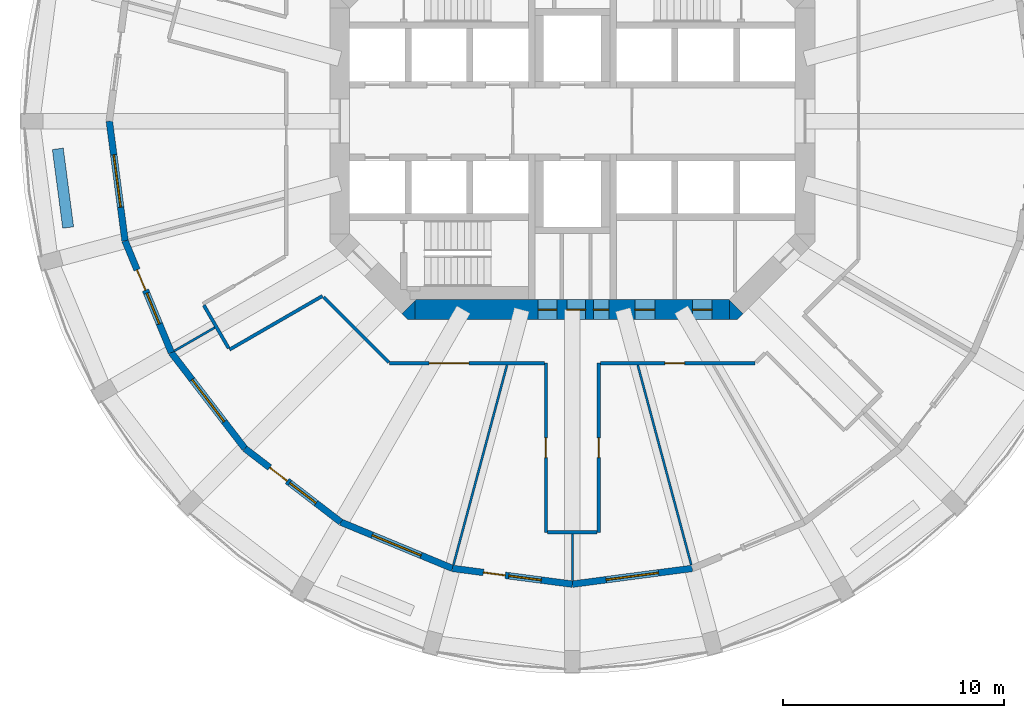
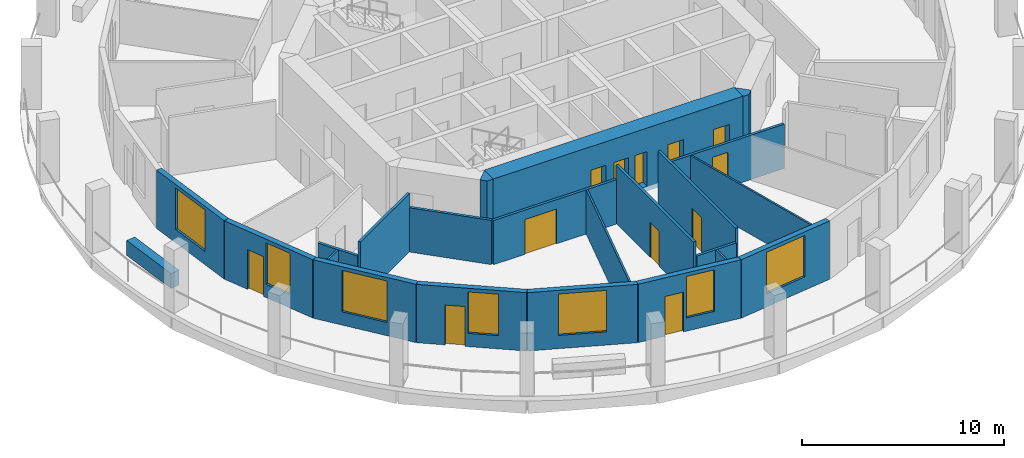
# One storey, part 2 of 8: 23 walls, 12 doors, 7 windows, 19 openings.
"""IFC4 building model written with IfcOpenShell, lengths in metres."""

from ifc_helpers import new_model, si_unit, direction, frame, frame_2d, origin, place, context, subcontext, project, spatial, polyline, rectangle, outline, extrude, material, layer, layer_set, type_object, element, fill, save


model = new_model("IFC4")

# Units and contexts
model_context = context("Model", 3, precision=1e-05, world=origin(), true_north=direction((0.0, 1.0)))
body_context = subcontext(model_context, "Body", "Model", "MODEL_VIEW")
ifc_project = project(units=[si_unit("LENGTHUNIT", "METRE"), si_unit("AREAUNIT", "SQUARE_METRE"), si_unit("VOLUMEUNIT", "CUBIC_METRE"), si_unit("PLANEANGLEUNIT", "RADIAN"), si_unit("MASSUNIT", "GRAM", prefix="KILO")], contexts=[model_context])

# Site, building, storey
site_placement = place(None, origin())
site = spatial("IfcSite", under=ifc_project, at=site_placement, CompositionType="ELEMENT")
building_placement = place(site_placement, origin())
building = spatial("IfcBuilding", under=site, at=building_placement, Name="Torre Triforio", CompositionType="ELEMENT")
storey_placement = place(building_placement, frame((0.0, 0.0, 120.0)))
storey = spatial("IfcBuildingStorey", under=building, at=storey_placement, Name="L26", CompositionType="ELEMENT", Elevation=120.0)

# Wall, openings, doors
ifc_material_1 = material(Name="Concrete C60", Category="concrete")
ifc_layer_1 = layer(ifc_material_1, 0.89990234375)
ifc_layer_set_1 = layer_set([ifc_layer_1], Name="Concrete C60")
wall_type_1 = type_object("IfcWallType", Name="Core wall 900 mm C60 EI 120", PredefinedType="SHEAR", material=ifc_layer_set_1)
wall_1_placement = place(storey_placement, frame((-7.1298828125, -8.550048828125, -0.280029296875), z_axis=(0.0, 0.0, 1.0), x_axis=(1.0, 0.0, 0.0)))
wall_1 = element("IfcWall", 1, at=wall_1_placement, inside=storey, type_object=wall_type_1, Name="Core wall", PredefinedType="SHEAR", context=body_context, shape_type="SweptSolid", body=[
    extrude(rectangle(XDim=14.259765625, YDim=0.89990234375, at=frame_2d((7.1298828125, 0.0))), origin(), (0.0, 0.0, 1.0), 3.800048828125),
])
opening_1_placement = place(wall_1_placement, frame((8.080078125, 0.0, 0.280029296875)))
opening_1 = element("IfcOpeningElement", 2, at=opening_1_placement, cuts=wall_1, Name="Opening RISER-S", PredefinedType="OPENING", context=body_context, shape_type="SweptSolid", body=[
    extrude(rectangle(XDim=0.699951171875, YDim=2.10009765625, at=frame_2d((0.35009765625, 1.050048828125))), frame((0.0, 0.4599609375, 0.0), z_axis=(0.0, -1.0, 0.0), x_axis=(1.0, 0.0, 0.0)), (0.0, 0.0, 1.0), 0.919921875),
])
opening_2_placement = place(wall_1_placement, frame((5.580078125, 0.0, 0.280029296875)))
opening_2 = element("IfcOpeningElement", 3, at=opening_2_placement, cuts=wall_1, Name="Opening SW-01A", PredefinedType="OPENING", context=body_context, shape_type="SweptSolid", body=[
    extrude(rectangle(XDim=0.85009765625, YDim=2.10009765625, at=frame_2d((0.425048828125, 1.050048828125))), frame((0.0, 0.4599609375, 0.0), z_axis=(0.0, -1.0, 0.0), x_axis=(1.0, 0.0, 0.0)), (0.0, 0.0, 1.0), 0.919921875),
])
opening_3_placement = place(wall_1_placement, frame((6.8798828125, 0.0, 0.280029296875)))
opening_3 = element("IfcOpeningElement", 4, at=opening_3_placement, cuts=wall_1, Name="Opening SW-02", PredefinedType="OPENING", context=body_context, shape_type="SweptSolid", body=[
    extrude(rectangle(XDim=0.85009765625, YDim=2.10009765625, at=frame_2d((0.425048828125, 1.050048828125))), frame((0.0, 0.4599609375, 0.0), z_axis=(0.0, -1.0, 0.0), x_axis=(1.0, 0.0, 0.0)), (0.0, 0.0, 1.0), 0.919921875),
])
opening_4_placement = place(wall_1_placement, frame((9.967041015625, 0.0, 0.280029296875)))
opening_4 = element("IfcOpeningElement", 5, at=opening_4_placement, cuts=wall_1, Name="Opening SE-01A", PredefinedType="OPENING", context=body_context, shape_type="SweptSolid", body=[
    extrude(rectangle(XDim=0.89990234375, YDim=2.10009765625, at=frame_2d((0.449951171875, 1.050048828125))), frame((0.0, 0.4599609375, 0.0), z_axis=(0.0, -1.0, 0.0), x_axis=(1.0, 0.0, 0.0)), (0.0, 0.0, 1.0), 0.919921875),
])
opening_5_placement = place(wall_1_placement, frame((12.56689453125, 0.0, 0.280029296875)))
opening_5 = element("IfcOpeningElement", 6, at=opening_5_placement, cuts=wall_1, Name="Opening SE-02", PredefinedType="OPENING", context=body_context, shape_type="SweptSolid", body=[
    extrude(rectangle(XDim=0.89990234375, YDim=2.10009765625, at=frame_2d((0.449951171875, 1.050048828125))), frame((0.0, 0.4599609375, 0.0), z_axis=(0.0, -1.0, 0.0), x_axis=(1.0, 0.0, 0.0)), (0.0, 0.0, 1.0), 0.919921875),
])
ifc_material_2 = material(Name="Hollow metal fire door leaf")
door_type_1 = type_object("IfcDoorType", Name="Riser door 700 x 2100 EI 60", OperationType="NOTDEFINED", PredefinedType="DOOR", material=ifc_material_2)
door_1_placement = place(opening_1_placement, origin())
door_1 = element("IfcDoor", 7, at=door_1_placement, inside=storey, type_object=door_type_1, Name="Core door RISER-S", OperationType="SINGLE_SWING_RIGHT", OverallHeight=2.10009765625, OverallWidth=0.699951171875, PredefinedType="DOOR", context=body_context, shape_type="SweptSolid", body=[
    extrude(rectangle(XDim=0.699951171875, YDim=2.10009765625, at=frame_2d((0.35009765625, 1.050048828125))), frame((0.0, 0.02490234375, 0.0), z_axis=(0.0, -1.0, 0.0), x_axis=(1.0, 0.0, 0.0)), (0.0, 0.0, 1.0), 0.050048828125),
])
fill(opening_1, door_1)
door_type_2 = type_object("IfcDoorType", Name="Room door 850 x 2100 EI 60", OperationType="NOTDEFINED", PredefinedType="DOOR", material=ifc_material_2)
door_2_placement = place(opening_2_placement, origin())
door_2 = element("IfcDoor", 8, at=door_2_placement, inside=storey, type_object=door_type_2, Name="Core door SW-01", OperationType="SINGLE_SWING_RIGHT", OverallHeight=2.10009765625, OverallWidth=0.85009765625, PredefinedType="DOOR", context=body_context, shape_type="SweptSolid", body=[
    extrude(rectangle(XDim=0.85009765625, YDim=2.10009765625, at=frame_2d((0.425048828125, 1.050048828125))), frame((0.0, 0.02490234375, 0.0), z_axis=(0.0, -1.0, 0.0), x_axis=(1.0, 0.0, 0.0)), (0.0, 0.0, 1.0), 0.050048828125),
])
fill(opening_2, door_2)
door_3_placement = place(opening_3_placement, origin())
door_3 = element("IfcDoor", 9, at=door_3_placement, inside=storey, type_object=door_type_2, Name="Core door SW-02", OperationType="SINGLE_SWING_LEFT", OverallHeight=2.10009765625, OverallWidth=0.85009765625, PredefinedType="DOOR", context=body_context, shape_type="SweptSolid", body=[
    extrude(rectangle(XDim=0.85009765625, YDim=2.10009765625, at=frame_2d((0.425048828125, 1.050048828125))), frame((0.0, 0.02490234375, 0.0), z_axis=(0.0, -1.0, 0.0), x_axis=(1.0, 0.0, 0.0)), (0.0, 0.0, 1.0), 0.050048828125),
])
fill(opening_3, door_3)
door_type_3 = type_object("IfcDoorType", Name="Room door 900 x 2100 EI 60", OperationType="NOTDEFINED", PredefinedType="DOOR", material=ifc_material_2)
door_4_placement = place(opening_4_placement, origin())
door_4 = element("IfcDoor", 10, at=door_4_placement, inside=storey, type_object=door_type_3, Name="Core door SE-01", OperationType="SINGLE_SWING_LEFT", OverallHeight=2.10009765625, OverallWidth=0.89990234375, PredefinedType="DOOR", context=body_context, shape_type="SweptSolid", body=[
    extrude(rectangle(XDim=0.89990234375, YDim=2.10009765625, at=frame_2d((0.449951171875, 1.050048828125))), frame((0.0, 0.02490234375, 0.0), z_axis=(0.0, -1.0, 0.0), x_axis=(1.0, 0.0, 0.0)), (0.0, 0.0, 1.0), 0.050048828125),
])
fill(opening_4, door_4)
door_5_placement = place(opening_5_placement, origin())
door_5 = element("IfcDoor", 11, at=door_5_placement, inside=storey, type_object=door_type_3, Name="Core door SE-02", OperationType="SINGLE_SWING_LEFT", OverallHeight=2.10009765625, OverallWidth=0.89990234375, PredefinedType="DOOR", context=body_context, shape_type="SweptSolid", body=[
    extrude(rectangle(XDim=0.89990234375, YDim=2.10009765625, at=frame_2d((0.449951171875, 1.050048828125))), frame((0.0, 0.02490234375, 0.0), z_axis=(0.0, -1.0, 0.0), x_axis=(1.0, 0.0, 0.0)), (0.0, 0.0, 1.0), 0.050048828125),
])
fill(opening_5, door_5)

# Walls
wall_2_placement = place(storey_placement, frame((0.0, 0.0, -0.280029296875)))
element("IfcWall", 12, at=wall_2_placement, inside=storey, type_object=wall_type_1, Name="Core wall", PredefinedType="SHEAR", context=body_context, shape_type="SweptSolid", body=[
    extrude(outline(polyline([(-7.472900390625, -9.0), (-7.736328125, -8.736328125), (-7.1298828125, -8.1298828125), (-7.1298828125, -9.0), (-7.472900390625, -9.0)])), origin(), (0.0, 0.0, 1.0), 3.800048828125),
])
wall_3_placement = place(storey_placement, frame((0.0, 0.0, -0.280029296875)))
element("IfcWall", 13, at=wall_3_placement, inside=storey, type_object=wall_type_1, Name="Core wall", PredefinedType="SHEAR", context=body_context, shape_type="SweptSolid", body=[
    extrude(outline(polyline([(7.472900390625, -9.0), (7.1298828125, -9.0), (7.1298828125, -8.1298828125), (7.736328125, -8.736328125), (7.472900390625, -9.0)])), origin(), (0.0, 0.0, 1.0), 3.800048828125),
])
ifc_material_3 = material(Name="Plasterboard on metal studs")
ifc_layer_2 = layer(ifc_material_3, 0.14990234375)
ifc_layer_set_2 = layer_set([ifc_layer_2], Name="Plasterboard on metal studs")
wall_type_2 = type_object("IfcWallType", Name="Corridor and tenancy wall 150 mm EI 60", PredefinedType="PARTITIONING", material=ifc_layer_set_2)
wall_4_placement = place(storey_placement, frame((-15.587890625, -10.298583984375, 0.0), z_axis=(0.0, 0.0, 1.0), x_axis=(-0.500013631625, 0.866017533419, 0.0)))
element("IfcWall", 14, at=wall_4_placement, inside=storey, type_object=wall_type_2, Name="Partition 1", PredefinedType="PARTITIONING", context=body_context, shape_type="SweptSolid", body=[
    extrude(rectangle(XDim=2.25, YDim=0.14990234375, at=frame_2d((1.125, 0.0))), origin(), (0.0, 0.0, 1.0), 2.669921875),
])

# Wall, opening, door
wall_5_placement = place(storey_placement, frame((8.291015625, -10.97509765625, 0.0), z_axis=(0.0, 0.0, 1.0), x_axis=(-1.0, 0.0, 0.0)))
wall_5 = element("IfcWall", 15, at=wall_5_placement, inside=storey, type_object=wall_type_2, Name="Partition 23", PredefinedType="PARTITIONING", context=body_context, shape_type="SweptSolid", body=[
    extrude(rectangle(XDim=7.01611328125, YDim=0.14990234375, at=frame_2d((3.508056640625, 0.0))), origin(), (0.0, 0.0, 1.0), 2.669921875),
])
opening_6_placement = place(wall_5_placement, frame((3.198486328125, 0.0, 0.0)))
opening_6 = element("IfcOpeningElement", 16, at=opening_6_placement, cuts=wall_5, Name="Opening D1-09", PredefinedType="OPENING", context=body_context, shape_type="SweptSolid", body=[
    extrude(rectangle(XDim=0.89990234375, YDim=2.10009765625, at=frame_2d((0.449951171875, 1.050048828125))), frame((0.0, 0.0849609375, 0.0), z_axis=(0.0, -1.0, 0.0), x_axis=(1.0, 0.0, 0.0)), (0.0, 0.0, 1.0), 0.169921875),
])
ifc_material_4 = material(Name="Timber", Category="wood")
door_type_4 = type_object("IfcDoorType", Name="Door 900 x 2100 single leaf EI 30", OperationType="NOTDEFINED", PredefinedType="DOOR", material=ifc_material_4)
door_6_placement = place(opening_6_placement, origin())
door_6 = element("IfcDoor", 17, at=door_6_placement, inside=storey, type_object=door_type_4, Name="Door D1-09", OperationType="SINGLE_SWING_LEFT", OverallHeight=2.10009765625, OverallWidth=0.89990234375, PredefinedType="DOOR", context=body_context, shape_type="SweptSolid", body=[
    extrude(rectangle(XDim=0.89990234375, YDim=2.10009765625, at=frame_2d((0.449951171875, 1.050048828125))), frame((0.0, 0.02490234375, 0.0), z_axis=(0.0, -1.0, 0.0), x_axis=(1.0, 0.0, 0.0)), (0.0, 0.0, 1.0), 0.050048828125),
])
fill(opening_6, door_6)

wall_6_placement = place(storey_placement, frame((1.199951171875, -10.97509765625, 0.0), z_axis=(0.0, 0.0, 1.0), x_axis=(0.0, -1.0, 0.0)))
wall_6 = element("IfcWall", 18, at=wall_6_placement, inside=storey, type_object=wall_type_2, Name="Partition 24", PredefinedType="PARTITIONING", context=body_context, shape_type="SweptSolid", body=[
    extrude(rectangle(XDim=7.673583984375, YDim=0.14990234375, at=frame_2d((3.8369140625, 0.0))), origin(), (0.0, 0.0, 1.0), 3.52001953125),
])
opening_7_placement = place(wall_6_placement, frame((3.386962890625, 0.0, 0.0)))
opening_7 = element("IfcOpeningElement", 19, at=opening_7_placement, cuts=wall_6, Name="Opening D1-08", PredefinedType="OPENING", context=body_context, shape_type="SweptSolid", body=[
    extrude(rectangle(XDim=0.89990234375, YDim=2.10009765625, at=frame_2d((0.449951171875, 1.050048828125))), frame((0.0, 0.0849609375, 0.0), z_axis=(0.0, -1.0, 0.0), x_axis=(1.0, 0.0, 0.0)), (0.0, 0.0, 1.0), 0.169921875),
])
door_7_placement = place(opening_7_placement, origin())
door_7 = element("IfcDoor", 20, at=door_7_placement, inside=storey, type_object=door_type_4, Name="Door D1-08", OperationType="SINGLE_SWING_RIGHT", OverallHeight=2.10009765625, OverallWidth=0.89990234375, PredefinedType="DOOR", context=body_context, shape_type="SweptSolid", body=[
    extrude(rectangle(XDim=0.89990234375, YDim=2.10009765625, at=frame_2d((0.449951171875, 1.050048828125))), frame((0.0, 0.02490234375, 0.0), z_axis=(0.0, -1.0, 0.0), x_axis=(1.0, 0.0, 0.0)), (0.0, 0.0, 1.0), 0.050048828125),
])
fill(opening_7, door_7)

# Wall
wall_7_placement = place(storey_placement, frame((1.125, -18.648681640625, 0.0), z_axis=(0.0, 0.0, 1.0), x_axis=(-1.0, 0.0, 0.0)))
element("IfcWall", 21, at=wall_7_placement, inside=storey, type_object=wall_type_2, Name="Partition 25", PredefinedType="PARTITIONING", context=body_context, shape_type="SweptSolid", body=[
    extrude(rectangle(XDim=2.25, YDim=0.14990234375, at=frame_2d((1.125, 0.0))), origin(), (0.0, 0.0, 1.0), 2.669921875),
])

# Wall, opening, door
wall_8_placement = place(storey_placement, frame((-1.199951171875, -18.648681640625, 0.0), z_axis=(0.0, 0.0, 1.0), x_axis=(0.0, 1.0, 0.0)))
wall_8 = element("IfcWall", 22, at=wall_8_placement, inside=storey, type_object=wall_type_2, Name="Partition 26", PredefinedType="PARTITIONING", context=body_context, shape_type="SweptSolid", body=[
    extrude(rectangle(XDim=7.673583984375, YDim=0.14990234375, at=frame_2d((3.8369140625, 0.0))), origin(), (0.0, 0.0, 1.0), 3.52001953125),
])
opening_8_placement = place(wall_8_placement, frame((3.386962890625, 0.0, 0.0)))
opening_8 = element("IfcOpeningElement", 23, at=opening_8_placement, cuts=wall_8, Name="Opening D1-07", PredefinedType="OPENING", context=body_context, shape_type="SweptSolid", body=[
    extrude(rectangle(XDim=0.89990234375, YDim=2.10009765625, at=frame_2d((0.449951171875, 1.050048828125))), frame((0.0, 0.0849609375, 0.0), z_axis=(0.0, -1.0, 0.0), x_axis=(1.0, 0.0, 0.0)), (0.0, 0.0, 1.0), 0.169921875),
])
door_8_placement = place(opening_8_placement, origin())
door_8 = element("IfcDoor", 24, at=door_8_placement, inside=storey, type_object=door_type_4, Name="Door D1-07", OperationType="SINGLE_SWING_RIGHT", OverallHeight=2.10009765625, OverallWidth=0.89990234375, PredefinedType="DOOR", context=body_context, shape_type="SweptSolid", body=[
    extrude(rectangle(XDim=0.89990234375, YDim=2.10009765625, at=frame_2d((0.449951171875, 1.050048828125))), frame((0.0, 0.02490234375, 0.0), z_axis=(0.0, -1.0, 0.0), x_axis=(1.0, 0.0, 0.0)), (0.0, 0.0, 1.0), 0.050048828125),
])
fill(opening_8, door_8)

wall_9_placement = place(storey_placement, frame((-1.27490234375, -10.97509765625, 0.0), z_axis=(0.0, 0.0, 1.0), x_axis=(-1.0, 0.0, 0.0)))
wall_9 = element("IfcWall", 25, at=wall_9_placement, inside=storey, type_object=wall_type_2, Name="Partition 27", PredefinedType="PARTITIONING", context=body_context, shape_type="SweptSolid", body=[
    extrude(rectangle(XDim=7.01611328125, YDim=0.14990234375, at=frame_2d((3.508056640625, 0.0))), origin(), (0.0, 0.0, 1.0), 2.669921875),
])
opening_9_placement = place(wall_9_placement, frame((3.415771484375, 0.0, 0.0)))
opening_9 = element("IfcOpeningElement", 26, at=opening_9_placement, cuts=wall_9, Name="Opening D1-06", PredefinedType="OPENING", context=body_context, shape_type="SweptSolid", body=[
    extrude(rectangle(XDim=1.800048828125, YDim=2.10009765625, at=frame_2d((0.89990234375, 1.050048828125))), frame((0.0, 0.0849609375, 0.0), z_axis=(0.0, -1.0, 0.0), x_axis=(1.0, 0.0, 0.0)), (0.0, 0.0, 1.0), 0.169921875),
])
door_type_5 = type_object("IfcDoorType", Name="Door 1800 x 2100 double leaf EI 30", OperationType="DOUBLE_DOOR_SINGLE_SWING", PredefinedType="DOOR", material=ifc_material_4)
door_9_placement = place(opening_9_placement, origin())
door_9 = element("IfcDoor", 27, at=door_9_placement, inside=storey, type_object=door_type_5, Name="Door D1-06", OperationType="DOUBLE_DOOR_SINGLE_SWING", OverallHeight=2.10009765625, OverallWidth=1.800048828125, PredefinedType="DOOR", context=body_context, shape_type="SweptSolid", body=[
    extrude(rectangle(XDim=1.800048828125, YDim=2.10009765625, at=frame_2d((0.89990234375, 1.050048828125))), frame((0.0, 0.02490234375, 0.0), z_axis=(0.0, -1.0, 0.0), x_axis=(1.0, 0.0, 0.0)), (0.0, 0.0, 1.0), 0.050048828125),
])
fill(opening_9, door_9)

# Walls
wall_10_placement = place(storey_placement, frame((-8.327880859375, -10.93798828125, 0.0), z_axis=(0.0, 0.0, 1.0), x_axis=(-0.707077584218, 0.707135976949, 0.0)))
element("IfcWall", 28, at=wall_10_placement, inside=storey, type_object=wall_type_2, Name="Partition 28", PredefinedType="PARTITIONING", context=body_context, shape_type="SweptSolid", body=[
    extrude(rectangle(XDim=4.180908203125, YDim=0.14990234375, at=frame_2d((2.09033203125, 0.0))), origin(), (0.0, 0.0, 1.0), 2.669921875),
])
wall_11_placement = place(storey_placement, frame((-11.335693359375, -7.930419921875, 0.0), z_axis=(0.0, 0.0, 1.0), x_axis=(-0.866042731792, -0.49996998581, 0.0)))
element("IfcWall", 29, at=wall_11_placement, inside=storey, type_object=wall_type_2, Name="Partition 29", PredefinedType="PARTITIONING", context=body_context, shape_type="SweptSolid", body=[
    extrude(rectangle(XDim=4.866455078125, YDim=0.14990234375, at=frame_2d((2.43310546875, 0.0))), origin(), (0.0, 0.0, 1.0), 3.52001953125),
])
ifc_layer_3 = layer(ifc_material_3, 0.10009765625)
ifc_layer_set_3 = layer_set([ifc_layer_3], Name="Plasterboard on metal studs")
wall_type_3 = type_object("IfcWallType", Name="Partition 100 mm board on metal studs", PredefinedType="PARTITIONING", material=ifc_layer_set_3)
wall_12_placement = place(storey_placement, frame((-16.215087890625, -9.36181640625, 0.0), z_axis=(0.0, 0.0, 1.0), x_axis=(-0.866016279763, -0.500015802937, 0.0)))
element("IfcWall", 30, at=wall_12_placement, inside=storey, type_object=wall_type_3, Name="Partition 37", PredefinedType="PARTITIONING", context=body_context, shape_type="SweptSolid", body=[
    extrude(rectangle(XDim=2.11328125, YDim=0.10009765625, at=frame_2d((1.056640625, 0.0))), origin(), (0.0, 0.0, 1.0), 2.669921875),
])
wall_13_placement = place(storey_placement, frame((-2.964599609375, -11.064208984375, 0.0), z_axis=(0.0, 0.0, 1.0), x_axis=(-0.258812392192, -0.965927608906, 0.0)))
element("IfcWall", 31, at=wall_13_placement, inside=storey, type_object=wall_type_3, Name="Partition 38", PredefinedType="PARTITIONING", context=body_context, shape_type="SweptSolid", body=[
    extrude(rectangle(XDim=9.382080078125, YDim=0.10009765625, at=frame_2d((4.69091796875, 0.0))), origin(), (0.0, 0.0, 1.0), 2.669921875),
])
wall_14_placement = place(storey_placement, frame((0.0, -18.7236328125, 0.0), z_axis=(0.0, 0.0, 1.0), x_axis=(0.0, -1.0, 0.0)))
element("IfcWall", 32, at=wall_14_placement, inside=storey, type_object=wall_type_3, Name="Partition 39", PredefinedType="PARTITIONING", context=body_context, shape_type="SweptSolid", body=[
    extrude(rectangle(XDim=2.113037109375, YDim=0.10009765625, at=frame_2d((1.056640625, 0.0))), origin(), (0.0, 0.0, 1.0), 2.669921875),
])
wall_15_placement = place(storey_placement, frame((2.964599609375, -11.064208984375, 0.0), z_axis=(0.0, 0.0, 1.0), x_axis=(0.258812392192, -0.965927608906, 0.0)))
element("IfcWall", 33, at=wall_15_placement, inside=storey, type_object=wall_type_3, Name="Partition 40", PredefinedType="PARTITIONING", context=body_context, shape_type="SweptSolid", body=[
    extrude(rectangle(XDim=9.382080078125, YDim=0.10009765625, at=frame_2d((4.69091796875, 0.0))), origin(), (0.0, 0.0, 1.0), 2.669921875),
])
ifc_material_5 = material(Name="Limestone cladding", Category="masonry")
ifc_layer_4 = layer(ifc_material_5, 0.10009765625)
ifc_material_6 = material(Name="Concrete C40", Category="concrete")
ifc_layer_5 = layer(ifc_material_6, 0.39990234375)
ifc_layer_set_4 = layer_set([ifc_layer_4, ifc_layer_5], Name="Limestone cladding / Concrete C40")
wall_type_4 = type_object("IfcWallType", Name="Planter wall 500", PredefinedType="PARAPET", material=ifc_layer_set_4)
wall_16_placement = place(storey_placement, frame((-23.335693359375, -1.256591796875, 0.0), z_axis=(0.0, 0.0, 1.0), x_axis=(0.130542222659, -0.991442750795, 0.0)))
element("IfcWall", 34, at=wall_16_placement, inside=storey, type_object=wall_type_4, Name="Planter L26 bay 13", PredefinedType="PARAPET", context=body_context, shape_type="SweptSolid", body=[
    extrude(rectangle(XDim=3.60009765625, YDim=0.5, at=frame_2d((1.800048828125, 0.0))), origin(), (0.0, 0.0, 1.0), 0.89990234375),
])

# Wall, opening, window
ifc_layer_6 = layer(ifc_material_5, 0.10009765625)
ifc_layer_7 = layer(ifc_material_6, 0.199951171875)
ifc_layer_set_5 = layer_set([ifc_layer_6, ifc_layer_7], Name="Limestone cladding / Concrete C40")
wall_type_5 = type_object("IfcWallType", Name="Stone-faced composite wall 300", PredefinedType="STANDARD", material=ifc_layer_set_5)
wall_17_placement = place(storey_placement, frame((-21.0, 0.0, 0.0), z_axis=(0.0, 0.0, 1.0), x_axis=(0.130527087244, -0.991444743541, 0.0)))
wall_17 = element("IfcWall", 35, at=wall_17_placement, inside=storey, type_object=wall_type_5, Name="External wall L26 bay 13", PredefinedType="STANDARD", context=body_context, shape_type="SweptSolid", body=[
    extrude(rectangle(XDim=5.482177734375, YDim=0.300048828125, at=frame_2d((2.7412109375, 0.0))), origin(), (0.0, 0.0, 1.0), 3.52001953125),
])
opening_10_placement = place(wall_17_placement, frame((1.541015625, 0.0, 0.800048828125)))
opening_10 = element("IfcOpeningElement", 36, at=opening_10_placement, cuts=wall_17, Name="Opening D1-W13", PredefinedType="OPENING", context=body_context, shape_type="SweptSolid", body=[
    extrude(rectangle(XDim=2.39990234375, YDim=2.5, at=frame_2d((1.199951171875, 1.25))), frame((0.0, 0.159912109375, 0.0), z_axis=(0.0, -1.0, 0.0), x_axis=(1.0, 0.0, 0.0)), (0.0, 0.0, 1.0), 0.320068359375),
])
ifc_material_7 = material(Name="Aluminium frame with clear double glazing", Category="aluminium")
window_type_1 = type_object("IfcWindowType", Name="Punched window 2400 x 2500", PartitioningType="DOUBLE_PANEL_VERTICAL", PredefinedType="WINDOW", material=ifc_material_7)
window_1_placement = place(opening_10_placement, origin())
window_1 = element("IfcWindow", 37, at=window_1_placement, inside=storey, type_object=window_type_1, Name="Window EWN3 L26 bay 13", OverallHeight=2.5, OverallWidth=2.39990234375, PartitioningType="SINGLE_PANEL", PredefinedType="WINDOW", context=body_context, shape_type="SweptSolid", body=[
    extrude(rectangle(XDim=2.39990234375, YDim=2.5, at=frame_2d((1.199951171875, 1.25))), frame((0.0, 0.030029296875, 0.0), z_axis=(0.0, -1.0, 0.0), x_axis=(1.0, 0.0, 0.0)), (0.0, 0.0, 1.0), 0.06005859375),
])
fill(opening_10, window_1)

# Wall, openings, door, window
wall_18_placement = place(storey_placement, frame((-20.284423828125, -5.435302734375, 0.0), z_axis=(0.0, 0.0, 1.0), x_axis=(0.382688740813, -0.923877333662, 0.0)))
wall_18 = element("IfcWall", 38, at=wall_18_placement, inside=storey, type_object=wall_type_5, Name="External wall L26 bay 14", PredefinedType="STANDARD", context=body_context, shape_type="SweptSolid", body=[
    extrude(rectangle(XDim=5.48193359375, YDim=0.300048828125, at=frame_2d((2.740966796875, 0.0))), origin(), (0.0, 0.0, 1.0), 3.52001953125),
])
opening_11_placement = place(wall_18_placement, frame((1.416015625, 0.0, 0.0)))
opening_11 = element("IfcOpeningElement", 39, at=opening_11_placement, cuts=wall_18, Name="Opening D1-D14", PredefinedType="OPENING", context=body_context, shape_type="SweptSolid", body=[
    extrude(rectangle(XDim=1.0, YDim=2.39990234375, at=frame_2d((0.5, 1.199951171875))), frame((0.0, 0.159912109375, 0.0), z_axis=(0.0, -1.0, 0.0), x_axis=(1.0, 0.0, 0.0)), (0.0, 0.0, 1.0), 0.320068359375),
])
opening_12_placement = place(wall_18_placement, frame((2.566162109375, 0.0, 0.800048828125)))
opening_12 = element("IfcOpeningElement", 40, at=opening_12_placement, cuts=wall_18, Name="Opening D1-W14A", PredefinedType="OPENING", context=body_context, shape_type="SweptSolid", body=[
    extrude(rectangle(XDim=1.5, YDim=2.5, at=frame_2d((0.75, 1.25))), frame((0.0, 0.159912109375, 0.0), z_axis=(0.0, -1.0, 0.0), x_axis=(1.0, 0.0, 0.0)), (0.0, 0.0, 1.0), 0.320068359375),
])
door_type_6 = type_object("IfcDoorType", Name="Loggia door 1000 x 2400", OperationType="NOTDEFINED", PredefinedType="DOOR", material=ifc_material_7)
door_10_placement = place(opening_11_placement, origin())
door_10 = element("IfcDoor", 41, at=door_10_placement, inside=storey, type_object=door_type_6, Name="Loggia door L26 bay 14", OperationType="SINGLE_SWING_LEFT", OverallHeight=2.39990234375, OverallWidth=1.0, PredefinedType="DOOR", context=body_context, shape_type="SweptSolid", body=[
    extrude(rectangle(XDim=1.0, YDim=2.39990234375, at=frame_2d((0.5, 1.199951171875))), frame((0.0, 0.02490234375, 0.0), z_axis=(0.0, -1.0, 0.0), x_axis=(1.0, 0.0, 0.0)), (0.0, 0.0, 1.0), 0.050048828125),
])
fill(opening_11, door_10)
window_type_2 = type_object("IfcWindowType", Name="Side window 1500 x 2500", PartitioningType="SINGLE_PANEL", PredefinedType="WINDOW", material=ifc_material_7)
window_2_placement = place(opening_12_placement, origin())
window_2 = element("IfcWindow", 42, at=window_2_placement, inside=storey, type_object=window_type_2, Name="Side window EWN13 L26 bay 14", OverallHeight=2.5, OverallWidth=1.5, PartitioningType="SINGLE_PANEL", PredefinedType="WINDOW", context=body_context, shape_type="SweptSolid", body=[
    extrude(rectangle(XDim=1.5, YDim=2.5, at=frame_2d((0.75, 1.25))), frame((0.0, 0.030029296875, 0.0), z_axis=(0.0, -1.0, 0.0), x_axis=(1.0, 0.0, 0.0)), (0.0, 0.0, 1.0), 0.06005859375),
])
fill(opening_12, window_2)

# Wall, opening, window
wall_19_placement = place(storey_placement, frame((-18.1865234375, -10.5, 0.0), z_axis=(0.0, 0.0, 1.0), x_axis=(0.608784891166, -0.793335336593, 0.0)))
wall_19 = element("IfcWall", 43, at=wall_19_placement, inside=storey, type_object=wall_type_5, Name="External wall L26 bay 15", PredefinedType="STANDARD", context=body_context, shape_type="SweptSolid", body=[
    extrude(rectangle(XDim=5.482177734375, YDim=0.300048828125, at=frame_2d((2.7412109375, 0.0))), origin(), (0.0, 0.0, 1.0), 3.52001953125),
])
opening_13_placement = place(wall_19_placement, frame((1.541015625, 0.0, 0.800048828125)))
opening_13 = element("IfcOpeningElement", 44, at=opening_13_placement, cuts=wall_19, Name="Opening D1-W15", PredefinedType="OPENING", context=body_context, shape_type="SweptSolid", body=[
    extrude(rectangle(XDim=2.39990234375, YDim=2.5, at=frame_2d((1.199951171875, 1.25))), frame((0.0, 0.159912109375, 0.0), z_axis=(0.0, -1.0, 0.0), x_axis=(1.0, 0.0, 0.0)), (0.0, 0.0, 1.0), 0.320068359375),
])
window_3_placement = place(opening_13_placement, origin())
window_3 = element("IfcWindow", 45, at=window_3_placement, inside=storey, type_object=window_type_1, Name="Window EWN3 L26 bay 15", OverallHeight=2.5, OverallWidth=2.39990234375, PartitioningType="SINGLE_PANEL", PredefinedType="WINDOW", context=body_context, shape_type="SweptSolid", body=[
    extrude(rectangle(XDim=2.39990234375, YDim=2.5, at=frame_2d((1.199951171875, 1.25))), frame((0.0, 0.030029296875, 0.0), z_axis=(0.0, -1.0, 0.0), x_axis=(1.0, 0.0, 0.0)), (0.0, 0.0, 1.0), 0.06005859375),
])
fill(opening_13, window_3)

# Wall, openings, door, window
wall_20_placement = place(storey_placement, frame((-14.84912109375, -14.84912109375, 0.0), z_axis=(0.0, 0.0, 1.0), x_axis=(0.793335336593, -0.608784891166, 0.0)))
wall_20 = element("IfcWall", 46, at=wall_20_placement, inside=storey, type_object=wall_type_5, Name="External wall L26 bay 16", PredefinedType="STANDARD", context=body_context, shape_type="SweptSolid", body=[
    extrude(rectangle(XDim=5.482177734375, YDim=0.300048828125, at=frame_2d((2.7412109375, 0.0))), origin(), (0.0, 0.0, 1.0), 3.52001953125),
])
opening_14_placement = place(wall_20_placement, frame((1.416015625, 0.0, 0.0)))
opening_14 = element("IfcOpeningElement", 47, at=opening_14_placement, cuts=wall_20, Name="Opening D1-D16", PredefinedType="OPENING", context=body_context, shape_type="SweptSolid", body=[
    extrude(rectangle(XDim=1.0, YDim=2.39990234375, at=frame_2d((0.5, 1.199951171875))), frame((0.0, 0.159912109375, 0.0), z_axis=(0.0, -1.0, 0.0), x_axis=(1.0, 0.0, 0.0)), (0.0, 0.0, 1.0), 0.320068359375),
])
opening_15_placement = place(wall_20_placement, frame((2.56591796875, 0.0, 0.800048828125)))
opening_15 = element("IfcOpeningElement", 48, at=opening_15_placement, cuts=wall_20, Name="Opening D1-W16A", PredefinedType="OPENING", context=body_context, shape_type="SweptSolid", body=[
    extrude(rectangle(XDim=1.5, YDim=2.5, at=frame_2d((0.75, 1.25))), frame((0.0, 0.159912109375, 0.0), z_axis=(0.0, -1.0, 0.0), x_axis=(1.0, 0.0, 0.0)), (0.0, 0.0, 1.0), 0.320068359375),
])
door_11_placement = place(opening_14_placement, origin())
door_11 = element("IfcDoor", 49, at=door_11_placement, inside=storey, type_object=door_type_6, Name="Loggia door L26 bay 16", OperationType="SINGLE_SWING_LEFT", OverallHeight=2.39990234375, OverallWidth=1.0, PredefinedType="DOOR", context=body_context, shape_type="SweptSolid", body=[
    extrude(rectangle(XDim=1.0, YDim=2.39990234375, at=frame_2d((0.5, 1.199951171875))), frame((0.0, 0.02490234375, 0.0), z_axis=(0.0, -1.0, 0.0), x_axis=(1.0, 0.0, 0.0)), (0.0, 0.0, 1.0), 0.050048828125),
])
fill(opening_14, door_11)
window_4_placement = place(opening_15_placement, origin())
window_4 = element("IfcWindow", 50, at=window_4_placement, inside=storey, type_object=window_type_2, Name="Side window EWN13 L26 bay 16", OverallHeight=2.5, OverallWidth=1.5, PartitioningType="SINGLE_PANEL", PredefinedType="WINDOW", context=body_context, shape_type="SweptSolid", body=[
    extrude(rectangle(XDim=1.5, YDim=2.5, at=frame_2d((0.75, 1.25))), frame((0.0, 0.030029296875, 0.0), z_axis=(0.0, -1.0, 0.0), x_axis=(1.0, 0.0, 0.0)), (0.0, 0.0, 1.0), 0.06005859375),
])
fill(opening_15, window_4)

# Wall, opening, window
wall_21_placement = place(storey_placement, frame((-10.5, -18.1865234375, 0.0), z_axis=(0.0, 0.0, 1.0), x_axis=(0.923877333662, -0.382688740813, 0.0)))
wall_21 = element("IfcWall", 51, at=wall_21_placement, inside=storey, type_object=wall_type_5, Name="External wall L26 bay 17", PredefinedType="STANDARD", context=body_context, shape_type="SweptSolid", body=[
    extrude(rectangle(XDim=5.48193359375, YDim=0.300048828125, at=frame_2d((2.740966796875, 0.0))), origin(), (0.0, 0.0, 1.0), 3.52001953125),
])
opening_16_placement = place(wall_21_placement, frame((1.541015625, 0.0, 0.800048828125)))
opening_16 = element("IfcOpeningElement", 52, at=opening_16_placement, cuts=wall_21, Name="Opening D1-W17", PredefinedType="OPENING", context=body_context, shape_type="SweptSolid", body=[
    extrude(rectangle(XDim=2.39990234375, YDim=2.5, at=frame_2d((1.199951171875, 1.25))), frame((0.0, 0.159912109375, 0.0), z_axis=(0.0, -1.0, 0.0), x_axis=(1.0, 0.0, 0.0)), (0.0, 0.0, 1.0), 0.320068359375),
])
window_5_placement = place(opening_16_placement, origin())
window_5 = element("IfcWindow", 53, at=window_5_placement, inside=storey, type_object=window_type_1, Name="Window EWN3 L26 bay 17", OverallHeight=2.5, OverallWidth=2.39990234375, PartitioningType="SINGLE_PANEL", PredefinedType="WINDOW", context=body_context, shape_type="SweptSolid", body=[
    extrude(rectangle(XDim=2.39990234375, YDim=2.5, at=frame_2d((1.199951171875, 1.25))), frame((0.0, 0.030029296875, 0.0), z_axis=(0.0, -1.0, 0.0), x_axis=(1.0, 0.0, 0.0)), (0.0, 0.0, 1.0), 0.06005859375),
])
fill(opening_16, window_5)

# Wall, openings, door, window
wall_22_placement = place(storey_placement, frame((-5.435302734375, -20.284423828125, 0.0), z_axis=(0.0, 0.0, 1.0), x_axis=(0.991444743541, -0.130527087244, 0.0)))
wall_22 = element("IfcWall", 54, at=wall_22_placement, inside=storey, type_object=wall_type_5, Name="External wall L26 bay 18", PredefinedType="STANDARD", context=body_context, shape_type="SweptSolid", body=[
    extrude(rectangle(XDim=5.482177734375, YDim=0.300048828125, at=frame_2d((2.7412109375, 0.0))), origin(), (0.0, 0.0, 1.0), 3.52001953125),
])
opening_17_placement = place(wall_22_placement, frame((1.416015625, 0.0, 0.0)))
opening_17 = element("IfcOpeningElement", 55, at=opening_17_placement, cuts=wall_22, Name="Opening D1-D18", PredefinedType="OPENING", context=body_context, shape_type="SweptSolid", body=[
    extrude(rectangle(XDim=1.0, YDim=2.39990234375, at=frame_2d((0.5, 1.199951171875))), frame((0.0, 0.159912109375, 0.0), z_axis=(0.0, -1.0, 0.0), x_axis=(1.0, 0.0, 0.0)), (0.0, 0.0, 1.0), 0.320068359375),
])
opening_18_placement = place(wall_22_placement, frame((2.566162109375, 0.0, 0.800048828125)))
opening_18 = element("IfcOpeningElement", 56, at=opening_18_placement, cuts=wall_22, Name="Opening D1-W18A", PredefinedType="OPENING", context=body_context, shape_type="SweptSolid", body=[
    extrude(rectangle(XDim=1.5, YDim=2.5, at=frame_2d((0.75, 1.25))), frame((0.0, 0.159912109375, 0.0), z_axis=(0.0, -1.0, 0.0), x_axis=(1.0, 0.0, 0.0)), (0.0, 0.0, 1.0), 0.320068359375),
])
door_12_placement = place(opening_17_placement, origin())
door_12 = element("IfcDoor", 57, at=door_12_placement, inside=storey, type_object=door_type_6, Name="Loggia door L26 bay 18", OperationType="SINGLE_SWING_LEFT", OverallHeight=2.39990234375, OverallWidth=1.0, PredefinedType="DOOR", context=body_context, shape_type="SweptSolid", body=[
    extrude(rectangle(XDim=1.0, YDim=2.39990234375, at=frame_2d((0.5, 1.199951171875))), frame((0.0, 0.02490234375, 0.0), z_axis=(0.0, -1.0, 0.0), x_axis=(1.0, 0.0, 0.0)), (0.0, 0.0, 1.0), 0.050048828125),
])
fill(opening_17, door_12)
window_6_placement = place(opening_18_placement, origin())
window_6 = element("IfcWindow", 58, at=window_6_placement, inside=storey, type_object=window_type_2, Name="Side window EWN13 L26 bay 18", OverallHeight=2.5, OverallWidth=1.5, PartitioningType="SINGLE_PANEL", PredefinedType="WINDOW", context=body_context, shape_type="SweptSolid", body=[
    extrude(rectangle(XDim=1.5, YDim=2.5, at=frame_2d((0.75, 1.25))), frame((0.0, 0.030029296875, 0.0), z_axis=(0.0, -1.0, 0.0), x_axis=(1.0, 0.0, 0.0)), (0.0, 0.0, 1.0), 0.06005859375),
])
fill(opening_18, window_6)

# Wall, opening, window
wall_23_placement = place(storey_placement, frame((0.0, -21.0, 0.0), z_axis=(0.0, 0.0, 1.0), x_axis=(0.991444743541, 0.130527087244, 0.0)))
wall_23 = element("IfcWall", 59, at=wall_23_placement, inside=storey, type_object=wall_type_5, Name="External wall L26 bay 19", PredefinedType="STANDARD", context=body_context, shape_type="SweptSolid", body=[
    extrude(rectangle(XDim=5.482177734375, YDim=0.300048828125, at=frame_2d((2.7412109375, 0.0))), origin(), (0.0, 0.0, 1.0), 3.52001953125),
])
opening_19_placement = place(wall_23_placement, frame((1.541015625, 0.0, 0.800048828125)))
opening_19 = element("IfcOpeningElement", 60, at=opening_19_placement, cuts=wall_23, Name="Opening D1-W19", PredefinedType="OPENING", context=body_context, shape_type="SweptSolid", body=[
    extrude(rectangle(XDim=2.39990234375, YDim=2.5, at=frame_2d((1.199951171875, 1.25))), frame((0.0, 0.159912109375, 0.0), z_axis=(0.0, -1.0, 0.0), x_axis=(1.0, 0.0, 0.0)), (0.0, 0.0, 1.0), 0.320068359375),
])
window_7_placement = place(opening_19_placement, origin())
window_7 = element("IfcWindow", 61, at=window_7_placement, inside=storey, type_object=window_type_1, Name="Window EWN3 L26 bay 19", OverallHeight=2.5, OverallWidth=2.39990234375, PartitioningType="SINGLE_PANEL", PredefinedType="WINDOW", context=body_context, shape_type="SweptSolid", body=[
    extrude(rectangle(XDim=2.39990234375, YDim=2.5, at=frame_2d((1.199951171875, 1.25))), frame((0.0, 0.030029296875, 0.0), z_axis=(0.0, -1.0, 0.0), x_axis=(1.0, 0.0, 0.0)), (0.0, 0.0, 1.0), 0.06005859375),
])
fill(opening_19, window_7)

save(model, "model.ifc")
